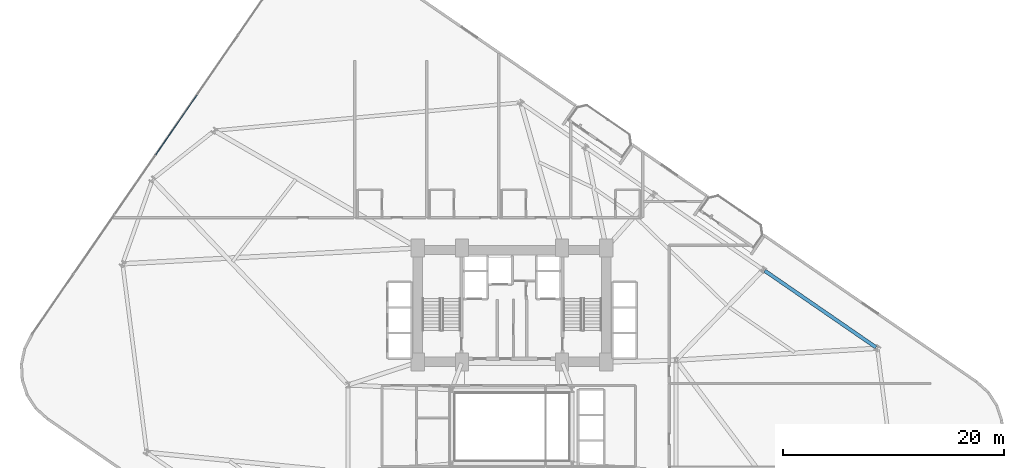
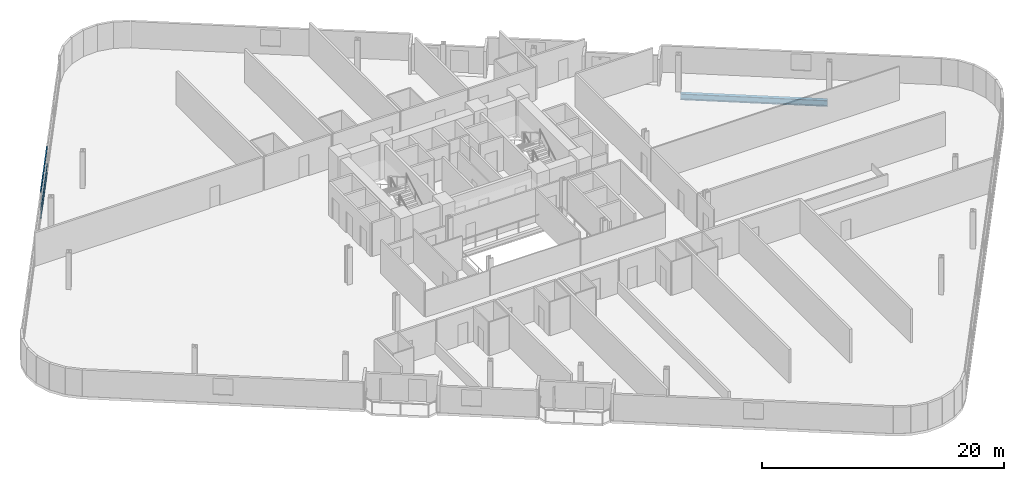
# One storey, part 12 of 24: 3 members, 1 beam, 1 element without a shape of its own.
"""IFC4 building model written with IfcOpenShell, lengths in metres."""

from ifc_helpers import new_model, si_unit, direction, frame, origin, origin_2d, place, context, subcontext, project, spatial, hollow_rectangle, i_section, extrude, material, layer, layer_set, material_profile, profile_set, type_object, element, aggregate, save


model = new_model("IFC4")

# Units and contexts
model_context = context("Model", 3, precision=1e-05, world=origin(), true_north=direction((0.0, 1.0)))
body_context = subcontext(model_context, "Body", "Model", "MODEL_VIEW")
ifc_project = project(units=[si_unit("LENGTHUNIT", "METRE"), si_unit("AREAUNIT", "SQUARE_METRE"), si_unit("VOLUMEUNIT", "CUBIC_METRE"), si_unit("PLANEANGLEUNIT", "RADIAN"), si_unit("MASSUNIT", "GRAM", prefix="KILO")], contexts=[model_context])

# Site, building, storey
site_placement = place(None, origin())
site = spatial("IfcSite", under=ifc_project, at=site_placement, CompositionType="ELEMENT")
building_placement = place(site_placement, origin())
building = spatial("IfcBuilding", under=site, at=building_placement, Name="Varnelok Gate Tower", CompositionType="ELEMENT")
storey_placement = place(building_placement, frame((0.0, 0.0, 67.699951171875)))
storey = spatial("IfcBuildingStorey", under=building, at=storey_placement, Name="L16", CompositionType="ELEMENT", Elevation=67.699951171875)

# Beam
ifc_material_1 = material(Name="Structural Steel ASTM A992 Grade 50", Category="steel")
ifc_material_profile_1 = material_profile(ifc_material_1, i_section(OverallWidth=0.323974609375, OverallDepth=0.611083984375, WebThickness=0.0126953125, FlangeThickness=0.01904296875, FilletRadius=0.01806640625, at=origin_2d()), Name="W24X104")
ifc_profile_set_1 = profile_set([ifc_material_profile_1], Name="Structural Steel ASTM A992 Grade 50")
beam_type = type_object("IfcBeamType", Name="BM-SPN-W24X104", PredefinedType="SPANDREL", material=ifc_profile_set_1)
beam_placement = place(storey_placement, frame((72.06201171875, 30.08251953125, -0.555419921875), z_axis=(-0.823543541425, 0.567253061144, 0.0), x_axis=(-0.567253061144, -0.823543541425, 0.0)))
element("IfcBeam", 1, at=beam_placement, inside=storey, type_object=beam_type, Name="L16 Perimeter Spandrel Beam 9", PredefinedType="SPANDREL", context=body_context, shape_type="SweptSolid", body=[
    extrude(i_section(OverallWidth=0.323974609375, OverallDepth=0.611083984375, WebThickness=0.0126953125, FlangeThickness=0.01904296875, FilletRadius=0.01806640625, at=origin_2d()), origin(), (0.0, 0.0, 1.0), 12.199951171875),
])

# Curtain wall, members
ifc_material_2 = material(Name="Anodized Aluminum Alloy 6063-T6", Category="aluminium")
ifc_layer = layer(ifc_material_2, 0.179931640625)
ifc_layer_set = layer_set([ifc_layer], Name="Anodized Aluminum Alloy 6063-T6")
curtain_wall_type = type_object("IfcCurtainWallType", Name="CW3-HOTEL-VISION", PredefinedType="USERDEFINED", material=ifc_layer_set)
curtain_wall_placement = place(storey_placement, origin())
curtain_wall = element("IfcCurtainWall", 2, at=curtain_wall_placement, inside=storey, type_object=curtain_wall_type, Name="L16 West End Vision Curtain Wall", ObjectType="UNITISED CURTAIN WALL", PredefinedType="USERDEFINED")
ifc_material_profile_2 = material_profile(ifc_material_2, hollow_rectangle(XDim=0.06494140625, YDim=0.159912109375, WallThickness=0.00390625, at=origin_2d()), Name="ALU160X65X4")
ifc_profile_set_2 = profile_set([ifc_material_profile_2], Name="Anodized Aluminum Alloy 6063-T6")
member_type = type_object("IfcMemberType", Name="CW-TRAN-160", PredefinedType="USERDEFINED", material=ifc_profile_set_2)
member_1_placement = place(storey_placement, frame((7.05126953125, 47.484375, 0.032470703125), z_axis=(0.567279204469, 0.823525533409, 0.0), x_axis=(-0.823525533409, 0.567279204469, 0.0)))
member_1 = element("IfcMember", 3, at=member_1_placement, type_object=member_type, Name="CW3 transom 4.1", ObjectType="TRANSOM", PredefinedType="USERDEFINED", context=body_context, shape_type="SweptSolid", body=[
    extrude(hollow_rectangle(XDim=0.06494140625, YDim=0.159912109375, WallThickness=0.00390625, at=origin_2d()), origin(), (0.0, 0.0, 1.0), 6.501708984375),
])
member_2_placement = place(storey_placement, frame((7.05126953125, 47.484375, 0.900146484375), z_axis=(0.567279204469, 0.823525533409, 0.0), x_axis=(-0.823525533409, 0.567279204469, 0.0)))
member_2 = element("IfcMember", 4, at=member_2_placement, type_object=member_type, Name="CW3 transom 4.2", ObjectType="TRANSOM", PredefinedType="USERDEFINED", context=body_context, shape_type="SweptSolid", body=[
    extrude(hollow_rectangle(XDim=0.06494140625, YDim=0.159912109375, WallThickness=0.00390625, at=origin_2d()), origin(), (0.0, 0.0, 1.0), 6.501708984375),
])
member_3_placement = place(storey_placement, frame((7.05126953125, 47.484375, 2.62744140625), z_axis=(0.567279204469, 0.823525533409, 0.0), x_axis=(-0.823525533409, 0.567279204469, 0.0)))
member_3 = element("IfcMember", 5, at=member_3_placement, type_object=member_type, Name="CW3 transom 4.3", ObjectType="TRANSOM", PredefinedType="USERDEFINED", context=body_context, shape_type="SweptSolid", body=[
    extrude(hollow_rectangle(XDim=0.06494140625, YDim=0.159912109375, WallThickness=0.00390625, at=origin_2d()), origin(), (0.0, 0.0, 1.0), 6.501708984375),
])
aggregate(curtain_wall, [member_1, member_2, member_3])

save(model, "model.ifc")
